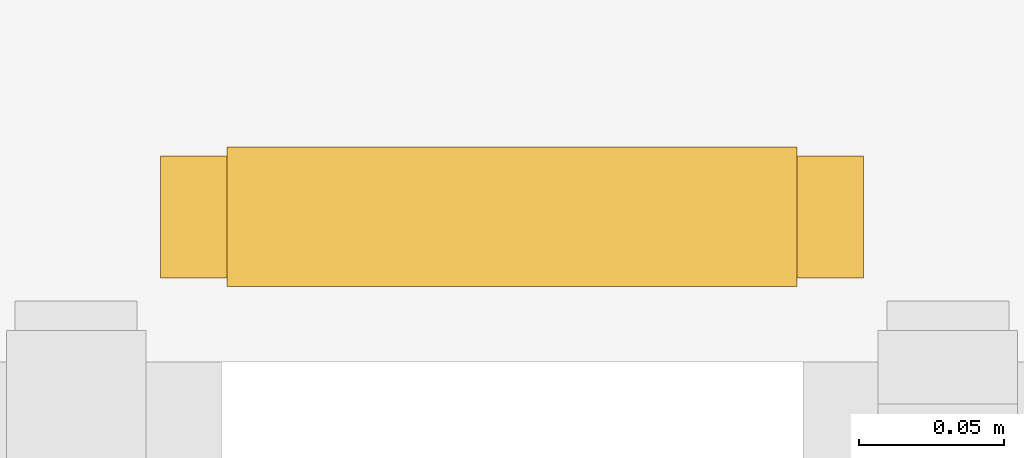
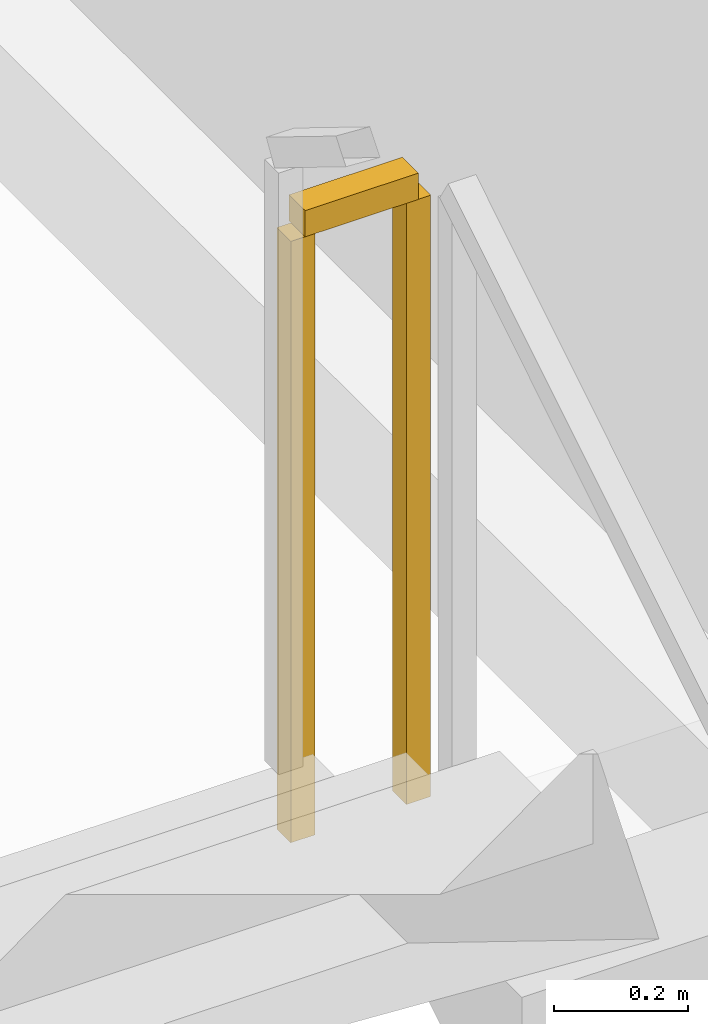
# One storey, part 26 of 26: 1 railing.
"""IFC4 building model written with IfcOpenShell, lengths in metres."""

import ifcopenshell
import ifcopenshell.guid

model = None  # the IFC model being written
_history = None  # IfcOwnerHistory: only IFC2X3 demands one
_inside = {}  # id of a spatial element -> (the spatial element, [elements in it])
_under = {}  # id of a project, library or spatial element -> (it, [spatial elements below it])
_declared = {}  # id of a project -> (the project, [libraries it declares])
_typed = {}  # id of a type object -> (the type object, [elements of that type])
_made_of = {}  # id of a material, layer set ... -> (it, [elements and type objects made of it])


def new_model(schema):
    """Start an empty IFC model of exactly this schema.

    Asked for "IFC4X3", IfcOpenShell would pick the latest addendum, in which some entities
    have other attributes; the version numbers below select the first issue.
    IFC2X3 requires an IfcOwnerHistory on every rooted entity: one is made here for all.
    """
    global model, _history
    if schema == "IFC4X3":
        model = ifcopenshell.file(schema_version=(4, 3, 0, 0))
    else:
        model = ifcopenshell.file(schema=schema)
    _inside.clear()
    _under.clear()
    _declared.clear()
    _typed.clear()
    _made_of.clear()
    _history = None
    if model.schema == "IFC2X3":
        org = make("IfcOrganization", Name="unknown")
        user = make(
            "IfcPersonAndOrganization",
            ThePerson=make("IfcPerson", FamilyName="unknown"),
            TheOrganization=org,
        )
        app = make(
            "IfcApplication",
            ApplicationDeveloper=org,
            Version="unknown",
            ApplicationFullName="unknown",
            ApplicationIdentifier="unknown",
        )
        _history = make(
            "IfcOwnerHistory",
            OwningUser=user,
            OwningApplication=app,
            ChangeAction="ADDED",
            CreationDate=0,
        )
    return model


def make(cls, **values):
    """One entity of the class cls with the attributes given. An attribute that is None is left unset."""
    return model.create_entity(
        cls, **{name: value for name, value in values.items() if value is not None}
    )


def rooted(cls, **values):
    """An entity with a GlobalId (a new one), such as an element, a storey or a relation."""
    return make(cls, GlobalId=ifcopenshell.guid.new(), OwnerHistory=_history, **values)


def si_unit(unit_type, name, prefix=None):
    """IfcSIUnit, for example si_unit("LENGTHUNIT", "METRE", prefix="MILLI")."""
    return make("IfcSIUnit", UnitType=unit_type, Prefix=prefix, Name=name)


def assignment(units):
    """IfcUnitAssignment: the units of a project."""
    return None if units is None else make("IfcUnitAssignment", Units=units)


def point(xyz):
    """IfcCartesianPoint."""
    return None if xyz is None else make("IfcCartesianPoint", Coordinates=xyz)


def direction(xyz):
    """IfcDirection."""
    return None if xyz is None else make("IfcDirection", DirectionRatios=xyz)


def frame(location, z_axis=None, x_axis=None):
    """IfcAxis2Placement3D, a coordinate frame: its origin and axes. An axis left out is left unset."""
    return make(
        "IfcAxis2Placement3D",
        Location=point(location),
        Axis=direction(z_axis),
        RefDirection=direction(x_axis),
    )


def frame_2d(location, x_axis=None):
    """IfcAxis2Placement2D, a coordinate frame in the plane: its origin and x axis."""
    return make(
        "IfcAxis2Placement2D", Location=point(location), RefDirection=direction(x_axis)
    )


def origin():
    """The frame at (0, 0, 0) with its axes left unset."""
    return frame((0.0, 0.0, 0.0))


def origin_2d():
    """The frame at (0, 0) in the plane with its x axis left unset."""
    return frame_2d((0.0, 0.0))


def place(relative_to, where):
    """IfcLocalPlacement: puts the frame where relative to a parent placement (None: the world)."""
    return make(
        "IfcLocalPlacement", PlacementRelTo=relative_to, RelativePlacement=where
    )


def context(
    kind, dimensions, precision=None, world=None, true_north=None, identifier=None
):
    """IfcGeometricRepresentationContext, for example the 3D "Model" context."""
    return make(
        "IfcGeometricRepresentationContext",
        ContextIdentifier=identifier,
        ContextType=kind,
        CoordinateSpaceDimension=dimensions,
        Precision=precision,
        WorldCoordinateSystem=world,
        TrueNorth=true_north,
    )


def subcontext(parent, identifier, kind, view, scale=None):
    """IfcGeometricRepresentationSubContext, for example "Body" below "Model"."""
    return make(
        "IfcGeometricRepresentationSubContext",
        ContextIdentifier=identifier,
        ContextType=kind,
        ParentContext=parent,
        TargetScale=scale,
        TargetView=view,
    )


def project(units=None, contexts=None):
    """IfcProject with its units and contexts."""
    return rooted(
        "IfcProject",
        Name="project",
        RepresentationContexts=contexts,
        UnitsInContext=assignment(units),
    )


def spatial(cls, under=None, at=None, **own):
    """A site, building, storey or space (cls), placed at a placement, below another one or the project."""
    s = rooted(cls, ObjectPlacement=at, **own)
    if under is not None:
        _under.setdefault(under.id(), (under, []))[1].append(s)
    return s


def profile(cls, at=None, kind="AREA", **sizes):
    """A parametric profile (cls). Its sizes go by their IFC names, for example OverallWidth=200.0."""
    return make(cls, ProfileType=kind, Position=at, **sizes)


def rectangle(**sizes):
    """IfcRectangleProfileDef."""
    return profile("IfcRectangleProfileDef", **sizes)


def extrude(swept, where, along, depth):
    """IfcExtrudedAreaSolid: the profile swept, set in the frame where, extruded along a direction by depth."""
    return make(
        "IfcExtrudedAreaSolid",
        SweptArea=swept,
        Position=where,
        ExtrudedDirection=direction(along),
        Depth=depth,
    )


def shape(context_of_items, identifier, shape_type, items):
    """IfcShapeRepresentation: the items that make up one representation, for example the "Body"."""
    return make(
        "IfcShapeRepresentation",
        ContextOfItems=context_of_items,
        RepresentationIdentifier=identifier,
        RepresentationType=shape_type,
        Items=items,
    )


def material(Name=None, Category=None):
    """IfcMaterial."""
    return make("IfcMaterial", Name=Name, Category=Category)


def made_of(thing, what):
    """Note that an element or type object is made of a material, layer set ...; save() writes the relation."""
    if what is not None:
        _made_of.setdefault(what.id(), (what, []))[1].append(thing)
    return thing


def type_object(cls, material=None, **own):
    """A type object (cls), such as IfcWallType, which elements share."""
    return made_of(rooted(cls, **own), material)


def element(
    cls,
    number,
    at=None,
    inside=None,
    cuts=None,
    type_object=None,
    material=None,
    context=None,
    identifier="Body",
    shape_type=None,
    held_by="IfcProductDefinitionShape",
    body=None,
    shapes=None,
    **own,
):
    """One element of the class cls, such as IfcWall. Its Tag is "e" and its number.

    at: its placement. inside: the storey or other place that contains it. cuts: it is an
    opening in that element (IfcRelVoidsElement). A single representation is given by context,
    identifier, shape_type and body (its items); several are given by shapes. held_by: the class
    of the entity that holds the representations. save() writes the other relations.
    """
    e = rooted(cls, Tag="e%d" % number, ObjectPlacement=at, **own)
    if body is not None:
        shapes = [shape(context, identifier, shape_type, body)]
    if shapes is not None:
        e.Representation = make(held_by, Representations=shapes)
    if inside is not None:
        _inside.setdefault(inside.id(), (inside, []))[1].append(e)
    if cuts is not None:
        rooted(
            "IfcRelVoidsElement", RelatingBuildingElement=cuts, RelatedOpeningElement=e
        )
    if type_object is not None:
        _typed.setdefault(type_object.id(), (type_object, []))[1].append(e)
    return made_of(e, material)


def aggregate(whole, parts):
    """IfcRelAggregates: a whole, such as a stair, and the parts it consists of."""
    return rooted("IfcRelAggregates", RelatingObject=whole, RelatedObjects=parts)


def save(model, path):
    """Write the relations noted so far, then the file.

    IfcRelAggregates (storeys below a building ...), IfcRelContainedInSpatialStructure (elements
    in a storey), IfcRelDefinesByType, IfcRelAssociatesMaterial and IfcRelDeclares: one each for
    every whole, place, type object, material and project.
    """
    for whole, parts in _under.values():
        aggregate(whole, parts)
    for where, things in _inside.values():
        rooted(
            "IfcRelContainedInSpatialStructure",
            RelatedElements=things,
            RelatingStructure=where,
        )
    for kind, things in _typed.values():
        rooted("IfcRelDefinesByType", RelatedObjects=things, RelatingType=kind)
    for what, things in _made_of.values():
        rooted("IfcRelAssociatesMaterial", RelatedObjects=things, RelatingMaterial=what)
    for by, libraries in _declared.values():
        rooted("IfcRelDeclares", RelatingContext=by, RelatedDefinitions=libraries)
    model.write(path)


model = new_model("IFC4")

# Units and contexts
model_context = context("Model", 3, precision=1e-05, world=origin(), true_north=direction((0.0, 1.0)))
body_context = subcontext(model_context, "Body", "Model", "MODEL_VIEW")
ifc_project = project(units=[si_unit("LENGTHUNIT", "METRE"), si_unit("AREAUNIT", "SQUARE_METRE"), si_unit("VOLUMEUNIT", "CUBIC_METRE"), si_unit("PLANEANGLEUNIT", "RADIAN"), si_unit("MASSUNIT", "GRAM", prefix="KILO")], contexts=[model_context])

# Site, building, storey
site_placement = place(None, origin())
site = spatial("IfcSite", under=ifc_project, at=site_placement, CompositionType="ELEMENT")
building_placement = place(site_placement, origin())
building = spatial("IfcBuilding", under=site, at=building_placement, Name="Zuhravey Tower", CompositionType="ELEMENT")
storey_placement = place(building_placement, frame((0.0, 0.0, 165.60009765625)))
storey = spatial("IfcBuildingStorey", under=building, at=storey_placement, Name="L41", CompositionType="ELEMENT", Elevation=165.60009765625)

# Railing
ifc_material = material(Name="Painted tubular steel", Category="steel")
railing_type = type_object("IfcRailingType", Name="Stair Well Guardrail 1150", PredefinedType="GUARDRAIL", material=ifc_material)
railing_placement = place(storey_placement, frame((44.199951171875, 36.050048828125, 1.89990234375)))
element("IfcRailing", 1, at=railing_placement, inside=storey, type_object=railing_type, Name="L41 ST2 stair guard 2", PredefinedType="GUARDRAIL", context=body_context, shape_type="SweptSolid", body=[
    extrude(rectangle(XDim=0.048095703125, YDim=0.048095703125, at=origin_2d()), frame((-0.001953125, 0.0, 1.1259765625), z_axis=(-1.0, 0.0, 0.0), x_axis=(0.0, -1.0, 0.0)), (0.0, 0.0, 1.0), 0.196044921875),
    extrude(rectangle(XDim=0.0419921875, YDim=0.0419921875, at=origin_2d()), origin(), (0.0, 0.0, 1.0), 1.099853515625),
    extrude(rectangle(XDim=0.0419921875, YDim=0.0419921875, at=origin_2d()), frame((-0.199951171875, 0.0, 0.0)), (0.0, 0.0, 1.0), 1.099853515625),
])

save(model, "model.ifc")
